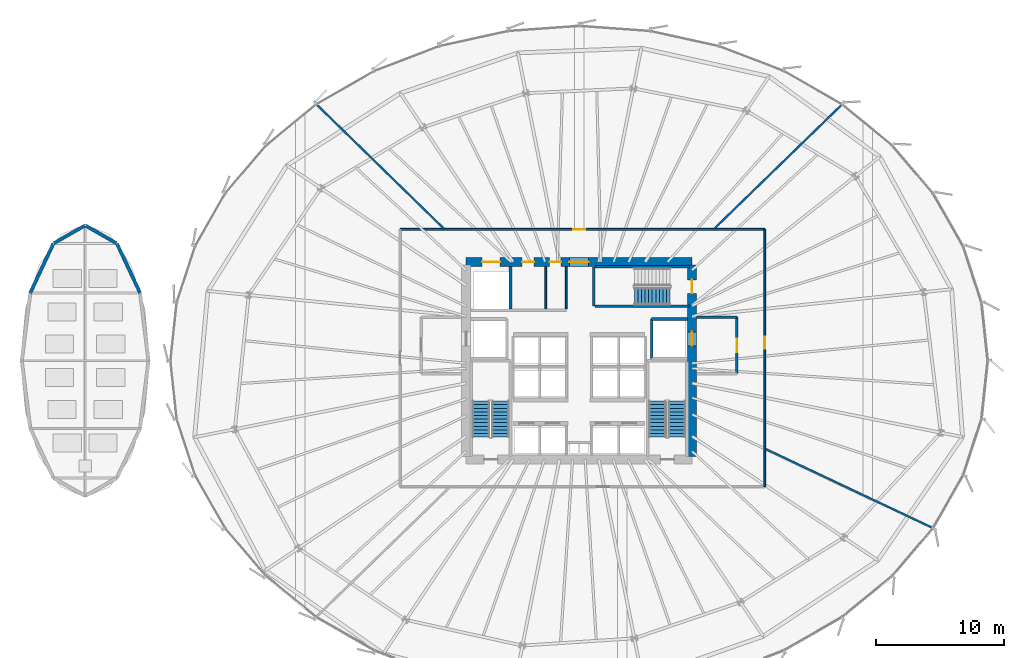
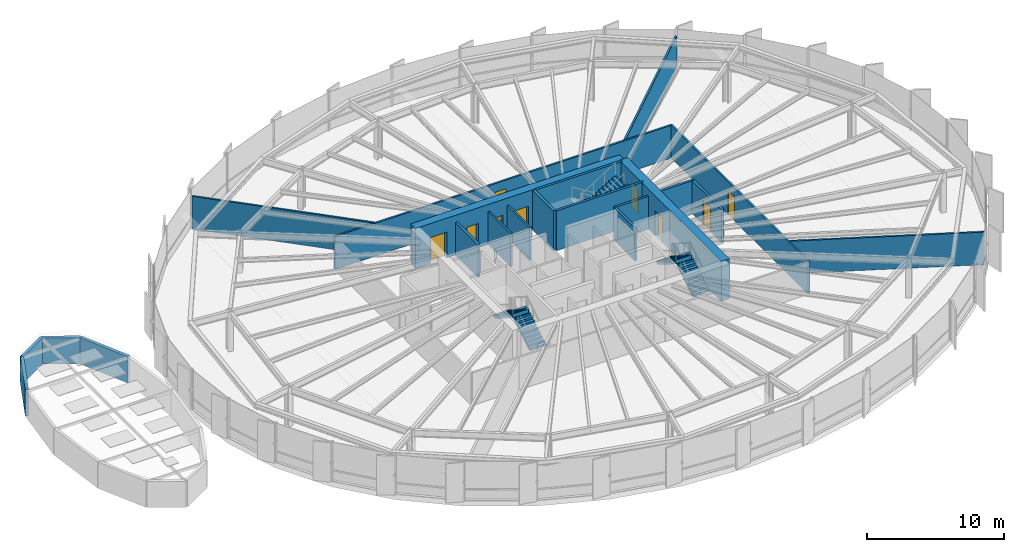
# One storey, part 30 of 38: 21 walls, 9 doors, 5 stair flights, 9 openings, 3 elements without a shape of their own.
"""IFC4 building model written with IfcOpenShell, lengths in metres."""

from ifc_helpers import new_model, si_unit, direction, frame, frame_2d, origin, place, context, subcontext, project, spatial, polyline, rectangle, outline, extrude, source, transform, mapped, material, layer, layer_set, type_object, element, fill, aggregate, save


model = new_model("IFC4")

# Units and contexts
model_context = context("Model", 3, precision=1e-05, world=origin(), true_north=direction((0.0, 1.0)))
body_context = subcontext(model_context, "Body", "Model", "MODEL_VIEW")
ifc_project = project(units=[si_unit("LENGTHUNIT", "METRE"), si_unit("AREAUNIT", "SQUARE_METRE"), si_unit("VOLUMEUNIT", "CUBIC_METRE"), si_unit("PLANEANGLEUNIT", "RADIAN"), si_unit("MASSUNIT", "GRAM", prefix="KILO"), si_unit("THERMODYNAMICTEMPERATUREUNIT", "KELVIN")], contexts=[model_context])

# Site, building, storey
site_placement = place(None, origin())
site = spatial("IfcSite", under=ifc_project, at=site_placement, CompositionType="ELEMENT")
building_placement = place(site_placement, origin())
building = spatial("IfcBuilding", under=site, at=building_placement, Name="Kethvar Cultural Tower", CompositionType="ELEMENT")
storey_placement = place(building_placement, frame((0.0, 0.0, 29.60009765625)))
storey = spatial("IfcBuildingStorey", under=building, at=storey_placement, Name="L06", CompositionType="ELEMENT", Elevation=29.60009765625)

# Wall, openings, doors
ifc_material_1 = material(Name="Concrete C60/75", Category="concrete")
ifc_layer_1 = layer(ifc_material_1, 0.699951171875, Name="Concrete C60/75", Category="concrete")
ifc_layer_set_1 = layer_set([ifc_layer_1], Name="Concrete C60/75 (700 mm)")
wall_type_1 = type_object("IfcWallType", Name="WL-CORE-700", PredefinedType="SHEAR", material=ifc_layer_set_1)
wall_1_placement = place(storey_placement, frame((55.60009765625, 35.5, 0.0), z_axis=(0.0, 0.0, 1.0), x_axis=(-1.0, 0.0, 0.0)))
wall_1 = element("IfcWall", 1, at=wall_1_placement, inside=storey, type_object=wall_type_1, Name="L06 Core Shear Wall N", PredefinedType="SHEAR", context=body_context, shape_type="SweptSolid", body=[
    extrude(rectangle(XDim=17.60009765625, YDim=0.699951171875, at=frame_2d((8.800048828125, 0.0))), origin(), (0.0, 0.0, 1.0), 3.5498046875),
])
opening_1_placement = place(wall_1_placement, frame((8.050048828125, 0.0, 0.0)))
opening_1 = element("IfcOpeningElement", 2, at=opening_1_placement, cuts=wall_1, Name="Opening D-L06-LN", PredefinedType="OPENING", context=body_context, shape_type="SweptSolid", body=[
    extrude(rectangle(XDim=1.5, YDim=2.199951171875, at=frame_2d((0.75, 1.10009765625))), frame((0.0, 0.35986328125, 0.0), z_axis=(0.0, -1.0, 0.0), x_axis=(1.0, 0.0, 0.0)), (0.0, 0.0, 1.0), 0.719970703125),
])
opening_2_placement = place(wall_1_placement, frame((14.949951171875, 0.0, 0.0)))
opening_2 = element("IfcOpeningElement", 3, at=opening_2_placement, cuts=wall_1, Name="Opening LD-G1", PredefinedType="OPENING", context=body_context, shape_type="SweptSolid", body=[
    extrude(rectangle(XDim=1.39990234375, YDim=2.300048828125, at=frame_2d((0.699951171875, 1.14990234375))), frame((0.0, 0.35986328125, 0.0), z_axis=(0.0, -1.0, 0.0), x_axis=(1.0, 0.0, 0.0)), (0.0, 0.0, 1.0), 0.719970703125),
])
opening_3_placement = place(wall_1_placement, frame((12.300048828125, 0.0, 0.0)))
opening_3 = element("IfcOpeningElement", 4, at=opening_3_placement, cuts=wall_1, Name="Opening D-L06-W1", PredefinedType="OPENING", context=body_context, shape_type="SweptSolid", body=[
    extrude(rectangle(XDim=0.949951171875, YDim=2.14990234375, at=frame_2d((0.47509765625, 1.074951171875))), frame((0.0, 0.35986328125, 0.0), z_axis=(0.0, -1.0, 0.0), x_axis=(1.0, 0.0, 0.0)), (0.0, 0.0, 1.0), 0.719970703125),
])
opening_4_placement = place(wall_1_placement, frame((10.199951171875, 0.0, 0.0)))
opening_4 = element("IfcOpeningElement", 5, at=opening_4_placement, cuts=wall_1, Name="Opening D-L06-W2", PredefinedType="OPENING", context=body_context, shape_type="SweptSolid", body=[
    extrude(rectangle(XDim=0.89990234375, YDim=2.14990234375, at=frame_2d((0.449951171875, 1.074951171875))), frame((0.0, 0.35986328125, 0.0), z_axis=(0.0, -1.0, 0.0), x_axis=(1.0, 0.0, 0.0)), (0.0, 0.0, 1.0), 0.719970703125),
])
ifc_material_2 = material(Name="Architectural Oak Timber", Category="wood")
door_type_1 = type_object("IfcDoorType", Name="DR-DBL-FD60-1500", OperationType="DOUBLE_DOOR_SINGLE_SWING", PredefinedType="DOOR", material=ifc_material_2)
shared_shape_1 = source(origin(), body_context, "Body", "SweptSolid", [
    extrude(rectangle(XDim=1.5, YDim=2.199951171875, at=frame_2d((0.75, 1.10009765625))), frame((0.0, 0.02490234375, 0.0), z_axis=(0.0, -1.0, 0.0), x_axis=(1.0, 0.0, 0.0)), (0.0, 0.0, 1.0), 0.050048828125),
])
door_1_placement = place(opening_1_placement, origin())
door_1 = element("IfcDoor", 6, at=door_1_placement, inside=storey, type_object=door_type_1, Name="L06 Lift Lobby Concourse Door", OperationType="DOUBLE_DOOR_SINGLE_SWING", OverallHeight=2.199951171875, OverallWidth=1.5, PredefinedType="DOOR", context=body_context, shape_type="MappedRepresentation", body=[
    mapped(shared_shape_1, transform((0.0, 0.0, 0.0), scale=1.0)),
])
fill(opening_1, door_1)
ifc_material_3 = material(Name="Steel S355J2", Category="steel")
door_type_2 = type_object("IfcDoorType", Name="DR-LIFT-SLIDE-1400", OperationType="NOTDEFINED", PredefinedType="DOOR", material=ifc_material_3)
shared_shape_2 = source(origin(), body_context, "Body", "SweptSolid", [
    extrude(rectangle(XDim=1.39990234375, YDim=2.300048828125, at=frame_2d((0.699951171875, 1.14990234375))), frame((0.0, 0.02490234375, 0.0), z_axis=(0.0, -1.0, 0.0), x_axis=(1.0, 0.0, 0.0)), (0.0, 0.0, 1.0), 0.050048828125),
])
door_2_placement = place(opening_2_placement, origin())
door_2 = element("IfcDoor", 7, at=door_2_placement, inside=storey, type_object=door_type_2, Name="L06 Goods Lift Landing Door", OperationType="SLIDING_TO_RIGHT", OverallHeight=2.300048828125, OverallWidth=1.39990234375, PredefinedType="DOOR", context=body_context, shape_type="MappedRepresentation", body=[
    mapped(shared_shape_2, transform((0.0, 0.0, 0.0), scale=1.0)),
])
fill(opening_2, door_2)
door_type_3 = type_object("IfcDoorType", Name="DR-FD30-950", OperationType="NOTDEFINED", PredefinedType="DOOR", material=ifc_material_2)
shared_shape_3 = source(origin(), body_context, "Body", "SweptSolid", [
    extrude(rectangle(XDim=0.949951171875, YDim=2.14990234375, at=frame_2d((0.47509765625, 1.074951171875))), frame((0.0, 0.02490234375, 0.0), z_axis=(0.0, -1.0, 0.0), x_axis=(1.0, 0.0, 0.0)), (0.0, 0.0, 1.0), 0.050048828125),
])
door_3_placement = place(opening_3_placement, origin())
door_3 = element("IfcDoor", 8, at=door_3_placement, inside=storey, type_object=door_type_3, Name="L06 Public Washroom Door", OperationType="SINGLE_SWING_LEFT", OverallHeight=2.14990234375, OverallWidth=0.949951171875, PredefinedType="DOOR", context=body_context, shape_type="MappedRepresentation", body=[
    mapped(shared_shape_3, transform((0.0, 0.0, 0.0), scale=1.0)),
])
fill(opening_3, door_3)
door_type_4 = type_object("IfcDoorType", Name="DR-FD30-900", OperationType="NOTDEFINED", PredefinedType="DOOR", material=ifc_material_2)
shared_shape_4 = source(origin(), body_context, "Body", "SweptSolid", [
    extrude(rectangle(XDim=0.89990234375, YDim=2.14990234375, at=frame_2d((0.449951171875, 1.074951171875))), frame((0.0, 0.02490234375, 0.0), z_axis=(0.0, -1.0, 0.0), x_axis=(1.0, 0.0, 0.0)), (0.0, 0.0, 1.0), 0.050048828125),
])
door_4_placement = place(opening_4_placement, origin())
door_4 = element("IfcDoor", 9, at=door_4_placement, inside=storey, type_object=door_type_4, Name="L06 Accessible Washroom Door", OperationType="SINGLE_SWING_RIGHT", OverallHeight=2.14990234375, OverallWidth=0.89990234375, PredefinedType="DOOR", context=body_context, shape_type="MappedRepresentation", body=[
    mapped(shared_shape_4, transform((0.0, 0.0, 0.0), scale=1.0)),
])
fill(opening_4, door_4)

wall_2_placement = place(storey_placement, frame((55.60009765625, 20.340087890625, 0.0), z_axis=(0.0, 0.0, 1.0), x_axis=(0.0, 1.0, 0.0)))
wall_2 = element("IfcWall", 10, at=wall_2_placement, inside=storey, type_object=wall_type_1, Name="L06 Core Shear Wall E", PredefinedType="SHEAR", context=body_context, shape_type="SweptSolid", body=[
    extrude(rectangle(XDim=14.919921875, YDim=0.699951171875, at=frame_2d((7.4599609375, 0.0))), origin(), (0.0, 0.0, 1.0), 3.5498046875),
])
opening_5_placement = place(wall_2_placement, frame((12.7099609375, 0.0, 0.0)))
opening_5 = element("IfcOpeningElement", 11, at=opening_5_placement, cuts=wall_2, Name="Opening D-L06-S3", PredefinedType="OPENING", context=body_context, shape_type="SweptSolid", body=[
    extrude(rectangle(XDim=1.050048828125, YDim=2.14990234375, at=frame_2d((0.52490234375, 1.074951171875))), frame((0.0, 0.35986328125, 0.0), z_axis=(0.0, -1.0, 0.0), x_axis=(1.0, 0.0, 0.0)), (0.0, 0.0, 1.0), 0.719970703125),
])
opening_6_placement = place(wall_2_placement, frame((8.610107421875, 0.0, 0.0)))
opening_6 = element("IfcOpeningElement", 12, at=opening_6_placement, cuts=wall_2, Name="Opening LD-2", PredefinedType="OPENING", context=body_context, shape_type="SweptSolid", body=[
    extrude(rectangle(XDim=1.10009765625, YDim=2.199951171875, at=frame_2d((0.550048828125, 1.10009765625))), frame((0.0, 0.35986328125, 0.0), z_axis=(0.0, -1.0, 0.0), x_axis=(1.0, 0.0, 0.0)), (0.0, 0.0, 1.0), 0.719970703125),
])
door_type_5 = type_object("IfcDoorType", Name="DR-FD60-1050", OperationType="NOTDEFINED", PredefinedType="DOOR", material=ifc_material_3)
shared_shape_5 = source(origin(), body_context, "Body", "SweptSolid", [
    extrude(rectangle(XDim=1.050048828125, YDim=2.14990234375, at=frame_2d((0.52490234375, 1.074951171875))), frame((0.0, 0.02490234375, 0.0), z_axis=(0.0, -1.0, 0.0), x_axis=(1.0, 0.0, 0.0)), (0.0, 0.0, 1.0), 0.050048828125),
])
door_5_placement = place(opening_5_placement, origin())
door_5 = element("IfcDoor", 13, at=door_5_placement, inside=storey, type_object=door_type_5, Name="L06 Exit Stair 3 Door", OperationType="SINGLE_SWING_LEFT", OverallHeight=2.14990234375, OverallWidth=1.050048828125, PredefinedType="DOOR", context=body_context, shape_type="MappedRepresentation", body=[
    mapped(shared_shape_5, transform((0.0, 0.0, 0.0), scale=1.0)),
])
fill(opening_5, door_5)
door_type_6 = type_object("IfcDoorType", Name="DR-LIFT-SLIDE-1100", OperationType="NOTDEFINED", PredefinedType="DOOR", material=ifc_material_3)
shared_shape_6 = source(origin(), body_context, "Body", "SweptSolid", [
    extrude(rectangle(XDim=1.10009765625, YDim=2.199951171875, at=frame_2d((0.550048828125, 1.10009765625))), frame((0.0, 0.02490234375, 0.0), z_axis=(0.0, -1.0, 0.0), x_axis=(1.0, 0.0, 0.0)), (0.0, 0.0, 1.0), 0.050048828125),
])
door_6_placement = place(opening_6_placement, origin())
door_6 = element("IfcDoor", 14, at=door_6_placement, inside=storey, type_object=door_type_6, Name="L06 Firefighting Lift Landing Door FFL-02", OperationType="SLIDING_TO_RIGHT", OverallHeight=2.199951171875, OverallWidth=1.10009765625, PredefinedType="DOOR", context=body_context, shape_type="MappedRepresentation", body=[
    mapped(shared_shape_6, transform((0.0, 0.0, 0.0), scale=1.0)),
])
fill(opening_6, door_6)

# Wall
ifc_material_4 = material(Name="Gypsum Fireboard Partition")
ifc_layer_2 = layer(ifc_material_4, 0.14990234375, Name="Gypsum Fireboard Partition")
ifc_layer_set_2 = layer_set([ifc_layer_2], Name="Gypsum Fireboard Partition (150 mm)")
wall_type_2 = type_object("IfcWallType", Name="WL-FIRE-150", PredefinedType="PARTITIONING", material=ifc_layer_set_2)
wall_3_placement = place(storey_placement, frame((45.800048828125, 31.85009765625, 0.0), z_axis=(0.0, 0.0, 1.0), x_axis=(0.0, 1.0, 0.0)))
element("IfcWall", 15, at=wall_3_placement, inside=storey, type_object=wall_type_2, Name="L06 Sanitary Spine Wall", PredefinedType="PARTITIONING", context=body_context, shape_type="SweptSolid", body=[
    extrude(rectangle(XDim=3.289794921875, YDim=0.14990234375, at=frame_2d((1.64501953125, 0.0))), origin(), (0.0, 0.0, 1.0), 2.9248046875),
])

# Wall, opening, door
wall_4_placement = place(storey_placement, frame((61.27001953125, 17.97998046875, 0.0), z_axis=(0.0, 0.0, 1.0), x_axis=(0.0, 1.0, 0.0)))
wall_4 = element("IfcWall", 16, at=wall_4_placement, inside=storey, type_object=wall_type_2, Name="L06 Corridor Rated Wall E", PredefinedType="PARTITIONING", context=body_context, shape_type="SweptSolid", body=[
    extrude(rectangle(XDim=20.06005859375, YDim=0.14990234375, at=frame_2d((10.030029296875, 0.0))), origin(), (0.0, 0.0, 1.0), 2.9248046875),
])
opening_7_placement = place(wall_4_placement, frame((10.73583984375, 0.0, 0.0)))
opening_7 = element("IfcOpeningElement", 17, at=opening_7_placement, cuts=wall_4, Name="Opening D-L06-02", PredefinedType="OPENING", context=body_context, shape_type="SweptSolid", body=[
    extrude(rectangle(XDim=0.949951171875, YDim=2.14990234375, at=frame_2d((0.47509765625, 1.074951171875))), frame((0.0, 0.0849609375, 0.0), z_axis=(0.0, -1.0, 0.0), x_axis=(1.0, 0.0, 0.0)), (0.0, 0.0, 1.0), 0.169921875),
])
door_7_placement = place(opening_7_placement, origin())
door_7 = element("IfcDoor", 18, at=door_7_placement, inside=storey, type_object=door_type_3, Name="L06 Sculpture Media Salon 02 Door", OperationType="SINGLE_SWING_RIGHT", OverallHeight=2.14990234375, OverallWidth=0.949951171875, PredefinedType="DOOR", context=body_context, shape_type="MappedRepresentation", body=[
    mapped(shared_shape_3, transform((0.0, 0.0, 0.0), scale=1.0)),
])
fill(opening_7, door_7)

wall_5_placement = place(storey_placement, frame((61.27001953125, 38.0400390625, 0.0), z_axis=(0.0, 0.0, 1.0), x_axis=(-1.0, 0.0, 0.0)))
wall_5 = element("IfcWall", 19, at=wall_5_placement, inside=storey, type_object=wall_type_2, Name="L06 Corridor Rated Wall N", PredefinedType="PARTITIONING", context=body_context, shape_type="SweptSolid", body=[
    extrude(rectangle(XDim=28.419921875, YDim=0.14990234375, at=frame_2d((14.2099609375, 0.0))), origin(), (0.0, 0.0, 1.0), 2.9248046875),
])
opening_8_placement = place(wall_5_placement, frame((13.9951171875, 0.0, 0.0)))
opening_8 = element("IfcOpeningElement", 20, at=opening_8_placement, cuts=wall_5, Name="Opening D-L06-03", PredefinedType="OPENING", context=body_context, shape_type="SweptSolid", body=[
    extrude(rectangle(XDim=0.949951171875, YDim=2.14990234375, at=frame_2d((0.47509765625, 1.074951171875))), frame((0.0, 0.0849609375, 0.0), z_axis=(0.0, -1.0, 0.0), x_axis=(1.0, 0.0, 0.0)), (0.0, 0.0, 1.0), 0.169921875),
])
door_8_placement = place(opening_8_placement, origin())
door_8 = element("IfcDoor", 21, at=door_8_placement, inside=storey, type_object=door_type_3, Name="L06 Collection Archive Storage 03 Door", OperationType="SINGLE_SWING_LEFT", OverallHeight=2.14990234375, OverallWidth=0.949951171875, PredefinedType="DOOR", context=body_context, shape_type="MappedRepresentation", body=[
    mapped(shared_shape_3, transform((0.0, 0.0, 0.0), scale=1.0)),
])
fill(opening_8, door_8)

# Walls
ifc_material_5 = material(Name="Concrete C40/50", Category="concrete")
ifc_layer_3 = layer(ifc_material_5, 0.199951171875, Name="Concrete C40/50", Category="concrete")
ifc_layer_set_3 = layer_set([ifc_layer_3], Name="Concrete C40/50 (200 mm)")
wall_type_3 = type_object("IfcWallType", Name="WL-FIRE-200", PredefinedType="PARTITIONING", material=ifc_layer_set_3)
wall_6_placement = place(storey_placement, frame((52.449951171875, 27.949951171875, 0.0), z_axis=(0.0, 0.0, 1.0), x_axis=(0.0, 1.0, 0.0)))
element("IfcWall", 22, at=wall_6_placement, inside=storey, type_object=wall_type_3, Name="L06 FFL-02 Shaft Inner Wall", PredefinedType="PARTITIONING", context=body_context, shape_type="SweptSolid", body=[
    extrude(rectangle(XDim=3.10009765625, YDim=0.199951171875, at=frame_2d((1.550048828125, 0.0))), origin(), (0.0, 0.0, 1.0), 2.9248046875),
])
wall_7_placement = place(storey_placement, frame((52.449951171875, 31.050048828125, 0.0), z_axis=(0.0, 0.0, 1.0), x_axis=(1.0, 0.0, 0.0)))
element("IfcWall", 23, at=wall_7_placement, inside=storey, type_object=wall_type_3, Name="L06 FFL-02 Shaft North Wall", PredefinedType="PARTITIONING", context=body_context, shape_type="SweptSolid", body=[
    extrude(rectangle(XDim=2.7900390625, YDim=0.199951171875, at=frame_2d((1.39501953125, 0.0))), origin(), (0.0, 0.0, 1.0), 2.9248046875),
])

# Wall, opening, door
wall_8_placement = place(storey_placement, frame((59.10009765625, 26.800048828125, 0.0), z_axis=(0.0, 0.0, 1.0), x_axis=(0.0, 1.0, 0.0)))
wall_8 = element("IfcWall", 24, at=wall_8_placement, inside=storey, type_object=wall_type_3, Name="L06 Firefighting Lobby 2 Wall", PredefinedType="PARTITIONING", context=body_context, shape_type="SweptSolid", body=[
    extrude(rectangle(XDim=4.39990234375, YDim=0.199951171875, at=frame_2d((2.199951171875, 0.0))), origin(), (0.0, 0.0, 1.0), 2.9248046875),
])
opening_9_placement = place(wall_8_placement, frame((1.64990234375, 0.0, 0.0)))
opening_9 = element("IfcOpeningElement", 25, at=opening_9_placement, cuts=wall_8, Name="Opening D-L06-F2", PredefinedType="OPENING", context=body_context, shape_type="SweptSolid", body=[
    extrude(rectangle(XDim=1.050048828125, YDim=2.14990234375, at=frame_2d((0.52490234375, 1.074951171875))), frame((0.0, 0.10986328125, 0.0), z_axis=(0.0, -1.0, 0.0), x_axis=(1.0, 0.0, 0.0)), (0.0, 0.0, 1.0), 0.219970703125),
])
door_9_placement = place(opening_9_placement, origin())
door_9 = element("IfcDoor", 26, at=door_9_placement, inside=storey, type_object=door_type_5, Name="L06 Firefighting Lobby 2 Fire Door", OperationType="SINGLE_SWING_LEFT", OverallHeight=2.14990234375, OverallWidth=1.050048828125, PredefinedType="DOOR", context=body_context, shape_type="MappedRepresentation", body=[
    mapped(shared_shape_5, transform((0.0, 0.0, 0.0), scale=1.0)),
])
fill(opening_9, door_9)

# Walls
wall_9_placement = place(storey_placement, frame((55.9599609375, 31.199951171875, 0.0), z_axis=(0.0, 0.0, 1.0), x_axis=(1.0, 0.0, 0.0)))
element("IfcWall", 27, at=wall_9_placement, inside=storey, type_object=wall_type_3, Name="L06 FF Lobby 2 North Wall", PredefinedType="PARTITIONING", context=body_context, shape_type="SweptSolid", body=[
    extrude(rectangle(XDim=3.14013671875, YDim=0.199951171875, at=frame_2d((1.570068359375, 0.0))), origin(), (0.0, 0.0, 1.0), 2.9248046875),
])
wall_10_placement = place(storey_placement, frame((41.449951171875, 31.85009765625, 0.0), z_axis=(0.0, 0.0, 1.0), x_axis=(0.0, 1.0, 0.0)))
element("IfcWall", 28, at=wall_10_placement, inside=storey, type_object=wall_type_3, Name="L06 NW Core Pocket Wall", PredefinedType="PARTITIONING", context=body_context, shape_type="SweptSolid", body=[
    extrude(rectangle(XDim=3.289794921875, YDim=0.199951171875, at=frame_2d((1.64501953125, 0.0))), origin(), (0.0, 0.0, 1.0), 2.9248046875),
])
ifc_layer_4 = layer(ifc_material_5, 0.260009765625, Name="Concrete C40/50", Category="concrete")
ifc_layer_set_4 = layer_set([ifc_layer_4], Name="Concrete C40/50 (260 mm)")
wall_type_4 = type_object("IfcWallType", Name="WL-LANTERN-DRUM-260", PredefinedType="SHEAR", material=ifc_layer_set_4)
wall_11_placement = place(storey_placement, frame((12.5869140625, 33.074951171875, 0.0), z_axis=(0.0, 0.0, 1.0), x_axis=(-0.4247989733, 0.90528770691, 0.0)))
element("IfcWall", 29, at=wall_11_placement, inside=storey, type_object=wall_type_4, Name="Atrium Lantern Drum Wall 02", PredefinedType="SHEAR", context=body_context, shape_type="SweptSolid", body=[
    extrude(rectangle(XDim=4.265625, YDim=0.260009765625, at=frame_2d((2.1328125, 0.0))), origin(), (0.0, 0.0, 1.0), 2.349853515625),
])
wall_12_placement = place(storey_placement, frame((10.77490234375, 36.9365234375, 0.0), z_axis=(0.0, 0.0, 1.0), x_axis=(-0.868338011452, 0.495972880173, 0.0)))
element("IfcWall", 30, at=wall_12_placement, inside=storey, type_object=wall_type_4, Name="Atrium Lantern Drum Wall 03", PredefinedType="SHEAR", context=body_context, shape_type="SweptSolid", body=[
    extrude(rectangle(XDim=2.85009765625, YDim=0.260009765625, at=frame_2d((1.425048828125, 0.0))), origin(), (0.0, 0.0, 1.0), 2.349853515625),
])
wall_13_placement = place(storey_placement, frame((8.300048828125, 38.35009765625, 0.0), z_axis=(0.0, 0.0, 1.0), x_axis=(-0.868359080591, -0.495935990986, 0.0)))
element("IfcWall", 31, at=wall_13_placement, inside=storey, type_object=wall_type_4, Name="Atrium Lantern Drum Wall 04", PredefinedType="SHEAR", context=body_context, shape_type="SweptSolid", body=[
    extrude(rectangle(XDim=2.850341796875, YDim=0.260009765625, at=frame_2d((1.42529296875, 0.0))), origin(), (0.0, 0.0, 1.0), 2.349853515625),
])
wall_14_placement = place(storey_placement, frame((5.824951171875, 36.9365234375, 0.0), z_axis=(0.0, 0.0, 1.0), x_axis=(-0.424752064795, -0.905309716866, 0.0)))
element("IfcWall", 32, at=wall_14_placement, inside=storey, type_object=wall_type_4, Name="Atrium Lantern Drum Wall 05", PredefinedType="SHEAR", context=body_context, shape_type="SweptSolid", body=[
    extrude(rectangle(XDim=4.265380859375, YDim=0.260009765625, at=frame_2d((2.1328125, 0.0))), origin(), (0.0, 0.0, 1.0), 2.349853515625),
])
ifc_material_6 = material(Name="Gypsum Acoustic Partition")
ifc_layer_5 = layer(ifc_material_6, 0.14990234375, Name="Gypsum Acoustic Partition")
ifc_layer_set_5 = layer_set([ifc_layer_5], Name="Gypsum Acoustic Partition (150 mm)")
wall_type_5 = type_object("IfcWallType", Name="WL-PART-150", PredefinedType="PARTITIONING", material=ifc_layer_set_5)
wall_15_placement = place(storey_placement, frame((61.34228515625, 20.917236328125, 0.0), z_axis=(0.0, 0.0, 1.0), x_axis=(0.904140604409, -0.427235026021, 0.0)))
element("IfcWall", 33, at=wall_15_placement, inside=storey, type_object=wall_type_5, Name="L06 Radial Partition Wall 02", PredefinedType="PARTITIONING", context=body_context, shape_type="SweptSolid", body=[
    extrude(rectangle(XDim=14.30322265625, YDim=0.14990234375, at=frame_2d((7.151611328125, 0.0))), origin(), (0.0, 0.0, 1.0), 2.9248046875),
])
wall_16_placement = place(storey_placement, frame((57.338623046875, 38.095703125, 0.0), z_axis=(0.0, 0.0, 1.0), x_axis=(0.71692792253, 0.697147297131, 0.0)))
element("IfcWall", 34, at=wall_16_placement, inside=storey, type_object=wall_type_5, Name="L06 Radial Partition Wall 03", PredefinedType="PARTITIONING", context=body_context, shape_type="SweptSolid", body=[
    extrude(rectangle(XDim=13.76171875, YDim=0.14990234375, at=frame_2d((6.880859375, 0.0))), origin(), (0.0, 0.0, 1.0), 2.9248046875),
])
wall_17_placement = place(storey_placement, frame((36.26123046875, 38.095947265625, 0.0), z_axis=(0.0, 0.0, 1.0), x_axis=(-0.715959114094, 0.698142211119, 0.0)))
element("IfcWall", 35, at=wall_17_placement, inside=storey, type_object=wall_type_5, Name="L06 Radial Partition Wall 04", PredefinedType="PARTITIONING", context=body_context, shape_type="SweptSolid", body=[
    extrude(rectangle(XDim=13.757568359375, YDim=0.14990234375, at=frame_2d((6.87890625, 0.0))), origin(), (0.0, 0.0, 1.0), 2.9248046875),
])
ifc_material_7 = material(Name="Moisture-Resistant Sanitary Chase Wall")
ifc_layer_6 = layer(ifc_material_7, 0.14990234375, Name="Moisture-Resistant Sanitary Chase Wall")
ifc_layer_set_6 = layer_set([ifc_layer_6], Name="Moisture-Resistant Sanitary Chase Wall (150 mm)")
wall_type_6 = type_object("IfcWallType", Name="WL-PLUMB-150", PredefinedType="PLUMBINGWALL", material=ifc_layer_set_6)
wall_18_placement = place(storey_placement, frame((44.199951171875, 31.85009765625, 0.0), z_axis=(0.0, 0.0, 1.0), x_axis=(0.0, 1.0, 0.0)))
element("IfcWall", 36, at=wall_18_placement, inside=storey, type_object=wall_type_6, Name="L06 Sanitary Plumbing Wall", PredefinedType="PLUMBINGWALL", context=body_context, shape_type="SweptSolid", body=[
    extrude(rectangle(XDim=3.289794921875, YDim=0.14990234375, at=frame_2d((1.64501953125, 0.0))), origin(), (0.0, 0.0, 1.0), 2.9248046875),
])
ifc_material_8 = material(Name="Concrete C50/60", Category="concrete")
ifc_layer_7 = layer(ifc_material_8, 0.199951171875, Name="Concrete C50/60", Category="concrete")
ifc_layer_set_7 = layer_set([ifc_layer_7], Name="Concrete C50/60 (200 mm)")
wall_type_7 = type_object("IfcWallType", Name="WL-STSHAFT-200", PredefinedType="SHEAR", material=ifc_layer_set_7)
wall_19_placement = place(storey_placement, frame((47.949951171875, 32.050048828125, 0.0), z_axis=(0.0, 0.0, 1.0), x_axis=(0.0, 1.0, 0.0)))
element("IfcWall", 37, at=wall_19_placement, inside=storey, type_object=wall_type_7, Name="L06 ST-03 Stair Shaft Wall FAR", PredefinedType="SHEAR", context=body_context, shape_type="SweptSolid", body=[
    extrude(rectangle(XDim=3.06005859375, YDim=0.199951171875, at=frame_2d((1.530029296875, 0.0))), origin(), (0.0, 0.0, 1.0), 3.5498046875),
])
for number, where, z_axis, x_axis, name in (
    (38, (48.050048828125, 35.110107421875, 0.0), (0.0, 0.0, 1.0), (1.0, 0.0, 0.0), "L06 ST-03 Stair Shaft Wall LEFT"),
    (39, (55.39990234375, 32.050048828125, 0.0), (0.0, 0.0, 1.0), (-1.0, 0.0, 0.0), "L06 ST-03 Stair Shaft Wall RIGHT"),
):
    element("IfcWall", number, at=place(storey_placement, frame(where, z_axis=z_axis, x_axis=x_axis)), inside=storey, type_object=wall_type_7, Name=name, PredefinedType="SHEAR", context=body_context, shape_type="SweptSolid", body=[
        extrude(rectangle(XDim=7.349853515625, YDim=0.199951171875, at=frame_2d((3.6748046875, 0.0))), origin(), (0.0, 0.0, 1.0), 3.5498046875),
    ])

# Stair, stair flights
stair_type = type_object("IfcStairType", Name="ST-DOGLEG-135", PredefinedType="HALF_TURN_STAIR", material=ifc_material_5)
stair_1_placement = place(storey_placement, origin())
stair_1 = element("IfcStair", 40, at=stair_1_placement, inside=storey, type_object=stair_type, Name="L06 Core Exit Stair 1", PredefinedType="HALF_TURN_STAIR")
stair_flight_type = type_object("IfcStairFlightType", Name="FL-STRAIGHT-135", PredefinedType="STRAIGHT", material=ifc_material_5)
stair_flight_1_placement = place(storey_placement, frame((40.675048828125, 21.85009765625, 0.0), z_axis=(0.0, 0.0, 1.0), x_axis=(0.0, 1.0, 0.0)))
stair_flight_1 = element("IfcStairFlight", 41, at=stair_flight_1_placement, type_object=stair_flight_type, Name="ST-01 flight 1", NumberOfRisers=11, NumberOfTreads=10, PredefinedType="STRAIGHT", RiserHeight=0.172727273, TreadLength=0.28, context=body_context, shape_type="SweptSolid", body=[
    extrude(outline(polyline([(-0.0009765625, -0.0009765625), (-0.0009765625, 0.172607421875), (0.280029296875, 0.172607421875), (0.280029296875, 0.345458984375), (0.56005859375, 0.345458984375), (0.56005859375, 0.51806640625), (0.840087890625, 0.51806640625), (0.840087890625, 0.69091796875), (1.1201171875, 0.69091796875), (1.1201171875, 0.863525390625), (1.39990234375, 0.863525390625), (1.39990234375, 1.036376953125), (1.679931640625, 1.036376953125), (1.679931640625, 1.208984375), (1.9599609375, 1.208984375), (1.9599609375, 1.3818359375), (2.239990234375, 1.3818359375), (2.239990234375, 1.554443359375), (2.52001953125, 1.554443359375), (2.52001953125, 1.727294921875), (2.800048828125, 1.727294921875), (2.800048828125, 1.89990234375), (2.801025390625, 1.89990234375), (2.801025390625, 1.551025390625), (0.285400390625, 0.0), (0.0, -0.0009765625), (-0.0009765625, -0.0009765625)])), frame((0.0, 0.675048828125, 0.0), z_axis=(0.0, -1.0, 0.0), x_axis=(1.0, 0.0, 0.0)), (0.0, 0.0, 1.0), 1.35009765625),
])
stair_flight_2_placement = place(storey_placement, frame((39.1650390625, 24.64990234375, 1.89990234375), z_axis=(0.0, 0.0, 1.0), x_axis=(0.0, -1.0, 0.0)))
stair_flight_2 = element("IfcStairFlight", 42, at=stair_flight_2_placement, type_object=stair_flight_type, Name="ST-01 flight 2", NumberOfRisers=11, NumberOfTreads=10, PredefinedType="STRAIGHT", RiserHeight=0.172727273, TreadLength=0.28, context=body_context, shape_type="SweptSolid", body=[
    extrude(outline(polyline([(-0.0009765625, -0.0009765625), (-0.0009765625, 0.172607421875), (0.280029296875, 0.172607421875), (0.280029296875, 0.345458984375), (0.56005859375, 0.345458984375), (0.56005859375, 0.51806640625), (0.840087890625, 0.51806640625), (0.840087890625, 0.69091796875), (1.1201171875, 0.69091796875), (1.1201171875, 0.863525390625), (1.39990234375, 0.863525390625), (1.39990234375, 1.036376953125), (1.679931640625, 1.036376953125), (1.679931640625, 1.208984375), (1.9599609375, 1.208984375), (1.9599609375, 1.3818359375), (2.239990234375, 1.3818359375), (2.239990234375, 1.554443359375), (2.52001953125, 1.554443359375), (2.52001953125, 1.727294921875), (2.800048828125, 1.727294921875), (2.800048828125, 1.89990234375), (2.801025390625, 1.89990234375), (2.801025390625, 1.551025390625), (0.285400390625, 0.0), (0.0, -0.0009765625), (-0.0009765625, -0.0009765625)])), frame((0.0, 0.675048828125, 0.0), z_axis=(0.0, -1.0, 0.0), x_axis=(1.0, 0.0, 0.0)), (0.0, 0.0, 1.0), 1.35009765625),
])
aggregate(stair_1, [stair_flight_1, stair_flight_2])

stair_2_placement = place(storey_placement, origin())
stair_2 = element("IfcStair", 43, at=stair_2_placement, inside=storey, type_object=stair_type, Name="L06 Core Exit Stair 2", PredefinedType="HALF_TURN_STAIR")
stair_flight_3_placement = place(storey_placement, frame((54.43505859375, 21.85009765625, 0.0), z_axis=(0.0, 0.0, 1.0), x_axis=(0.0, 1.0, 0.0)))
stair_flight_3 = element("IfcStairFlight", 44, at=stair_flight_3_placement, type_object=stair_flight_type, Name="ST-02 flight 1", NumberOfRisers=11, NumberOfTreads=10, PredefinedType="STRAIGHT", RiserHeight=0.172727273, TreadLength=0.28, context=body_context, shape_type="SweptSolid", body=[
    extrude(outline(polyline([(-0.0009765625, -0.0009765625), (-0.0009765625, 0.172607421875), (0.280029296875, 0.172607421875), (0.280029296875, 0.345458984375), (0.56005859375, 0.345458984375), (0.56005859375, 0.51806640625), (0.840087890625, 0.51806640625), (0.840087890625, 0.69091796875), (1.1201171875, 0.69091796875), (1.1201171875, 0.863525390625), (1.39990234375, 0.863525390625), (1.39990234375, 1.036376953125), (1.679931640625, 1.036376953125), (1.679931640625, 1.208984375), (1.9599609375, 1.208984375), (1.9599609375, 1.3818359375), (2.239990234375, 1.3818359375), (2.239990234375, 1.554443359375), (2.52001953125, 1.554443359375), (2.52001953125, 1.727294921875), (2.800048828125, 1.727294921875), (2.800048828125, 1.89990234375), (2.801025390625, 1.89990234375), (2.801025390625, 1.551025390625), (0.285400390625, 0.0), (0.0, -0.0009765625), (-0.0009765625, -0.0009765625)])), frame((0.0, 0.675048828125, 0.0), z_axis=(0.0, -1.0, 0.0), x_axis=(1.0, 0.0, 0.0)), (0.0, 0.0, 1.0), 1.35009765625),
])
stair_flight_4_placement = place(storey_placement, frame((52.925048828125, 24.64990234375, 1.89990234375), z_axis=(0.0, 0.0, 1.0), x_axis=(0.0, -1.0, 0.0)))
stair_flight_4 = element("IfcStairFlight", 45, at=stair_flight_4_placement, type_object=stair_flight_type, Name="ST-02 flight 2", NumberOfRisers=11, NumberOfTreads=10, PredefinedType="STRAIGHT", RiserHeight=0.172727273, TreadLength=0.28, context=body_context, shape_type="SweptSolid", body=[
    extrude(outline(polyline([(-0.0009765625, -0.0009765625), (-0.0009765625, 0.172607421875), (0.280029296875, 0.172607421875), (0.280029296875, 0.345458984375), (0.56005859375, 0.345458984375), (0.56005859375, 0.51806640625), (0.840087890625, 0.51806640625), (0.840087890625, 0.69091796875), (1.1201171875, 0.69091796875), (1.1201171875, 0.863525390625), (1.39990234375, 0.863525390625), (1.39990234375, 1.036376953125), (1.679931640625, 1.036376953125), (1.679931640625, 1.208984375), (1.9599609375, 1.208984375), (1.9599609375, 1.3818359375), (2.239990234375, 1.3818359375), (2.239990234375, 1.554443359375), (2.52001953125, 1.554443359375), (2.52001953125, 1.727294921875), (2.800048828125, 1.727294921875), (2.800048828125, 1.89990234375), (2.801025390625, 1.89990234375), (2.801025390625, 1.551025390625), (0.285400390625, 0.0), (0.0, -0.0009765625), (-0.0009765625, -0.0009765625)])), frame((0.0, 0.675048828125, 0.0), z_axis=(0.0, -1.0, 0.0), x_axis=(1.0, 0.0, 0.0)), (0.0, 0.0, 1.0), 1.35009765625),
])
aggregate(stair_2, [stair_flight_3, stair_flight_4])

# Stair, stair flight
stair_3_placement = place(storey_placement, origin())
stair_3 = element("IfcStair", 46, at=stair_3_placement, inside=storey, type_object=stair_type, Name="L06 Core Exit Stair 3", PredefinedType="HALF_TURN_STAIR")
stair_flight_5_placement = place(storey_placement, frame((51.10009765625, 32.824951171875, 1.89990234375), z_axis=(0.0, 0.0, 1.0), x_axis=(1.0, 0.0, 0.0)))
stair_flight_5 = element("IfcStairFlight", 47, at=stair_flight_5_placement, type_object=stair_flight_type, Name="ST-03 flight 2", NumberOfRisers=11, NumberOfTreads=10, PredefinedType="STRAIGHT", RiserHeight=0.172727273, TreadLength=0.28, context=body_context, shape_type="SweptSolid", body=[
    extrude(outline(polyline([(-0.0009765625, -0.0009765625), (-0.0009765625, 0.172607421875), (0.280029296875, 0.172607421875), (0.280029296875, 0.345458984375), (0.56005859375, 0.345458984375), (0.56005859375, 0.51806640625), (0.840087890625, 0.51806640625), (0.840087890625, 0.69091796875), (1.1201171875, 0.69091796875), (1.1201171875, 0.863525390625), (1.39990234375, 0.863525390625), (1.39990234375, 1.036376953125), (1.679931640625, 1.036376953125), (1.679931640625, 1.208984375), (1.9599609375, 1.208984375), (1.9599609375, 1.3818359375), (2.239990234375, 1.3818359375), (2.239990234375, 1.554443359375), (2.52001953125, 1.554443359375), (2.52001953125, 1.727294921875), (2.800048828125, 1.727294921875), (2.800048828125, 1.89990234375), (2.801025390625, 1.89990234375), (2.801025390625, 1.551025390625), (0.285400390625, 0.0), (0.0, -0.0009765625), (-0.0009765625, -0.0009765625)])), frame((0.0, 0.675048828125, 0.0), z_axis=(0.0, -1.0, 0.0), x_axis=(1.0, 0.0, 0.0)), (0.0, 0.0, 1.0), 1.35009765625),
])
aggregate(stair_3, [stair_flight_5])

save(model, "model.ifc")
